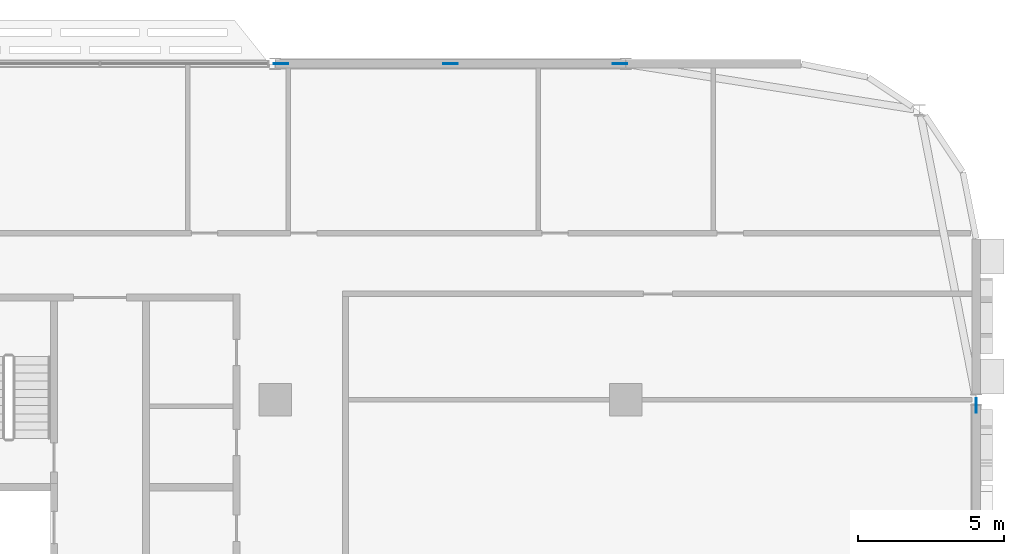
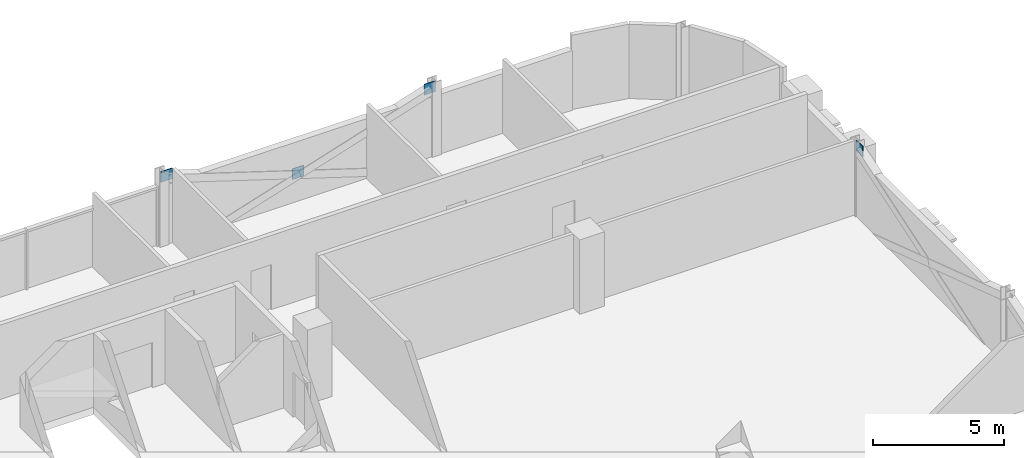
# One storey, part 24 of 30: 4 discrete accessories.
"""IFC4 building model written with IfcOpenShell, lengths in metres."""

from ifc_helpers import new_model, si_unit, direction, frame, origin, origin_2d, place, context, subcontext, project, spatial, rectangle, extrude, material, layer, layer_set, type_object, element, save


model = new_model("IFC4")

# Units and contexts
model_context = context("Model", 3, precision=1e-05, world=origin(), true_north=direction((0.0, 1.0)))
body_context = subcontext(model_context, "Body", "Model", "MODEL_VIEW")
ifc_project = project(units=[si_unit("LENGTHUNIT", "METRE"), si_unit("AREAUNIT", "SQUARE_METRE"), si_unit("VOLUMEUNIT", "CUBIC_METRE"), si_unit("PLANEANGLEUNIT", "RADIAN"), si_unit("MASSUNIT", "GRAM", prefix="KILO")], contexts=[model_context])

# Site, building, storey
site_placement = place(None, origin())
site = spatial("IfcSite", under=ifc_project, at=site_placement, CompositionType="ELEMENT")
building_placement = place(site_placement, origin())
building = spatial("IfcBuilding", under=site, at=building_placement, Name="Mahtab Terrace Research Tower", CompositionType="ELEMENT")
storey_placement = place(building_placement, frame((0.0, 0.0, 201.5)))
storey = spatial("IfcBuildingStorey", under=building, at=storey_placement, Name="L48", CompositionType="ELEMENT", Elevation=201.5)

# Discrete accessories
ifc_material = material(Name="Steel ASTM A992 Gr 50", Category="steel")
ifc_layer = layer(ifc_material, 0.030029296875)
ifc_layer_set = layer_set([ifc_layer], Name="Gusset plate 500x500x30")
discrete_accessory_type = type_object("IfcDiscreteAccessoryType", Name="Gusset plate 500x500x30", PredefinedType="USERDEFINED", material=ifc_layer_set)
for number, where, z_axis, x_axis, name in (
    (1, (30.20068359375, 23.0, 2.870849609375), (0.0, 0.0, 1.0), (1.0, 0.0, 0.0), "Gusset plate"),
    (2, (36.0, 23.0, 0.970947265625), (0.0, 0.0, 1.0), (1.0, 0.0, 0.0), "Gusset plate"),
    (3, (41.79931640625, 23.0, 2.870849609375), (0.0, 0.0, 1.0), (1.0, 0.0, 0.0), "Gusset plate"),
    (4, (54.0, 11.300537109375, 2.870849609375), (0.0, 0.0, 1.0), (0.0, 1.0, 0.0), "Gusset plate"),
):
    element("IfcDiscreteAccessory", number, at=place(storey_placement, frame(where, z_axis=z_axis, x_axis=x_axis)), inside=storey, type_object=discrete_accessory_type, Name=name, ObjectType="GUSSET PLATE", PredefinedType="USERDEFINED", context=body_context, shape_type="SweptSolid", body=[
        extrude(rectangle(XDim=0.5, YDim=0.030029296875, at=origin_2d()), origin(), (0.0, 0.0, 1.0), 0.5),
    ])

save(model, "model.ifc")
